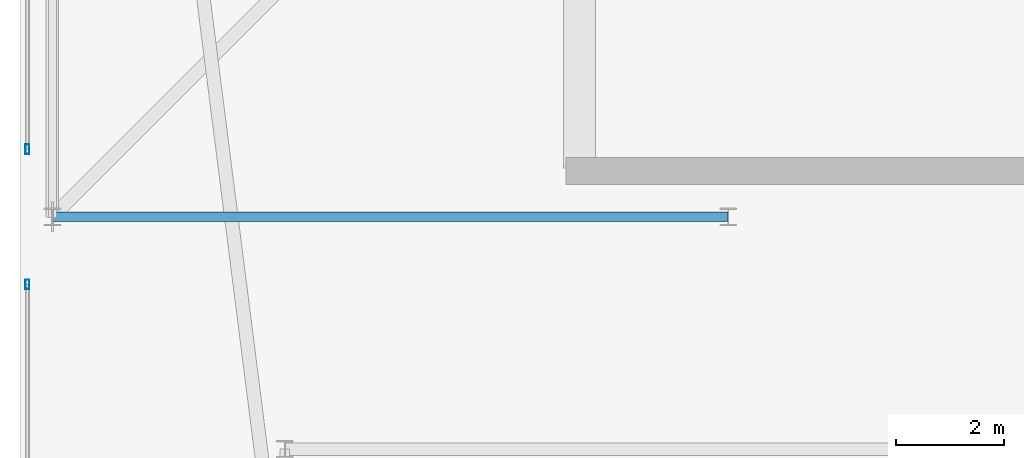
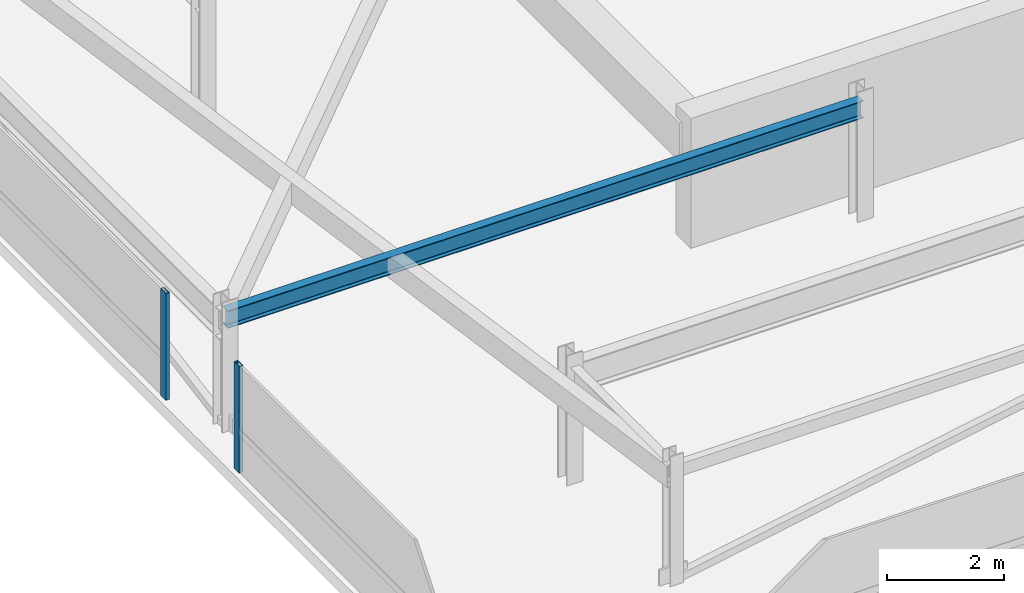
# One storey, part 11 of 44: 2 members, 1 beam, 2 elements without a shape of their own.
"""IFC4 building model written with IfcOpenShell, lengths in metres."""

from ifc_helpers import new_model, si_unit, direction, frame, origin, origin_2d, place, context, subcontext, project, spatial, hollow_rectangle, i_section, extrude, material, material_profile, profile_set, type_object, element, aggregate, save


model = new_model("IFC4")

# Units and contexts
model_context = context("Model", 3, precision=1e-05, world=origin(), true_north=direction((0.0, 1.0)))
body_context = subcontext(model_context, "Body", "Model", "MODEL_VIEW")
ifc_project = project(units=[si_unit("LENGTHUNIT", "METRE"), si_unit("AREAUNIT", "SQUARE_METRE"), si_unit("VOLUMEUNIT", "CUBIC_METRE"), si_unit("PLANEANGLEUNIT", "RADIAN"), si_unit("MASSUNIT", "GRAM", prefix="KILO")], contexts=[model_context])

# Site, building, storey
site_placement = place(None, origin())
site = spatial("IfcSite", under=ifc_project, at=site_placement, CompositionType="ELEMENT")
building_placement = place(site_placement, origin())
building = spatial("IfcBuilding", under=site, at=building_placement, Name="Thornwick Lancets Civic Towers", CompositionType="ELEMENT")
storey_placement = place(building_placement, frame((0.0, 0.0, 294.89990234375)))
storey = spatial("IfcBuildingStorey", under=building, at=storey_placement, Name="C06", CompositionType="ELEMENT", Elevation=294.89990234375)

# Beam
ifc_material_1 = material(Name="Steel S355JR", Category="steel")
ifc_material_profile_1 = material_profile(ifc_material_1, i_section(OverallWidth=0.173095703125, OverallDepth=0.36328125, WebThickness=0.009033203125, FlangeThickness=0.015625, FilletRadius=0.01025390625, at=origin_2d()), Name="UKB 356x171x67")
ifc_profile_set_1 = profile_set([ifc_material_profile_1], Name="Steel S355JR")
beam_type = type_object("IfcBeamType", Name="BM_JOIST_356_67", PredefinedType="JOIST", material=ifc_profile_set_1)
beam_placement = place(storey_placement, frame((20.699951171875, 14.0, 2.25830078125), z_axis=(-1.0, 0.0, 0.0), x_axis=(0.0, -1.0, 0.0)))
element("IfcBeam", 1, at=beam_placement, inside=storey, type_object=beam_type, Name="BM-RADIN-C06-A10", PredefinedType="JOIST", context=body_context, shape_type="SweptSolid", body=[
    extrude(i_section(OverallWidth=0.173095703125, OverallDepth=0.36328125, WebThickness=0.009033203125, FlangeThickness=0.015625, FilletRadius=0.01025390625, at=origin_2d()), origin(), (0.0, 0.0, 1.0), 12.5),
])

# Curtain wall, member
ifc_material_2 = material(Name="Crown ring acoustic-louvre and glazing screen wall", Category="glass")
curtain_wall_type = type_object("IfcCurtainWallType", Name="CW_SYS_07", PredefinedType="NOTDEFINED", material=ifc_material_2)
curtain_wall_1_placement = place(storey_placement, origin())
curtain_wall_1 = element("IfcCurtainWall", 2, at=curtain_wall_1_placement, inside=storey, type_object=curtain_wall_type, Name="C06 Curtain Wall CW-C06-A-E6-S2", PredefinedType="NOTDEFINED")
ifc_material_3 = material(Name="Thermally broken bronze aluminium S355", Category="steel")
ifc_material_profile_2 = material_profile(ifc_material_3, hollow_rectangle(XDim=0.074951171875, YDim=0.179931640625, WallThickness=0.006103515625, at=origin_2d()), Name="RHS 180x75x6")
ifc_profile_set_2 = profile_set([ifc_material_profile_2], Name="Thermally broken bronze aluminium S355")
member_type = type_object("IfcMemberType", Name="CW_MUL_180", PredefinedType="MULLION", material=ifc_profile_set_2)
member_1_placement = place(storey_placement, frame((7.7353515625, 15.25, 0.0), z_axis=(0.0, 0.0, 1.0), x_axis=(1.0, 0.0, 0.0)))
member_1 = element("IfcMember", 3, at=member_1_placement, type_object=member_type, Name="CW-C06-A-E6-S2 Mullion 1", PredefinedType="MULLION", context=body_context, shape_type="SweptSolid", body=[
    extrude(hollow_rectangle(XDim=0.074951171875, YDim=0.179931640625, WallThickness=0.006103515625, at=origin_2d()), origin(), (0.0, 0.0, 1.0), 2.22021484375),
])
aggregate(curtain_wall_1, [member_1])

curtain_wall_2_placement = place(storey_placement, origin())
curtain_wall_2 = element("IfcCurtainWall", 4, at=curtain_wall_2_placement, inside=storey, type_object=curtain_wall_type, Name="C06 Curtain Wall CW-C06-A-E6-S3", PredefinedType="NOTDEFINED")
member_2_placement = place(storey_placement, frame((7.7353515625, 12.75, 0.0), z_axis=(0.0, 0.0, 1.0), x_axis=(1.0, 0.0, 0.0)))
member_2 = element("IfcMember", 5, at=member_2_placement, type_object=member_type, Name="CW-C06-A-E6-S3 Mullion 0", PredefinedType="MULLION", context=body_context, shape_type="SweptSolid", body=[
    extrude(hollow_rectangle(XDim=0.074951171875, YDim=0.179931640625, WallThickness=0.006103515625, at=origin_2d()), origin(), (0.0, 0.0, 1.0), 2.22021484375),
])
aggregate(curtain_wall_2, [member_2])

save(model, "model.ifc")
